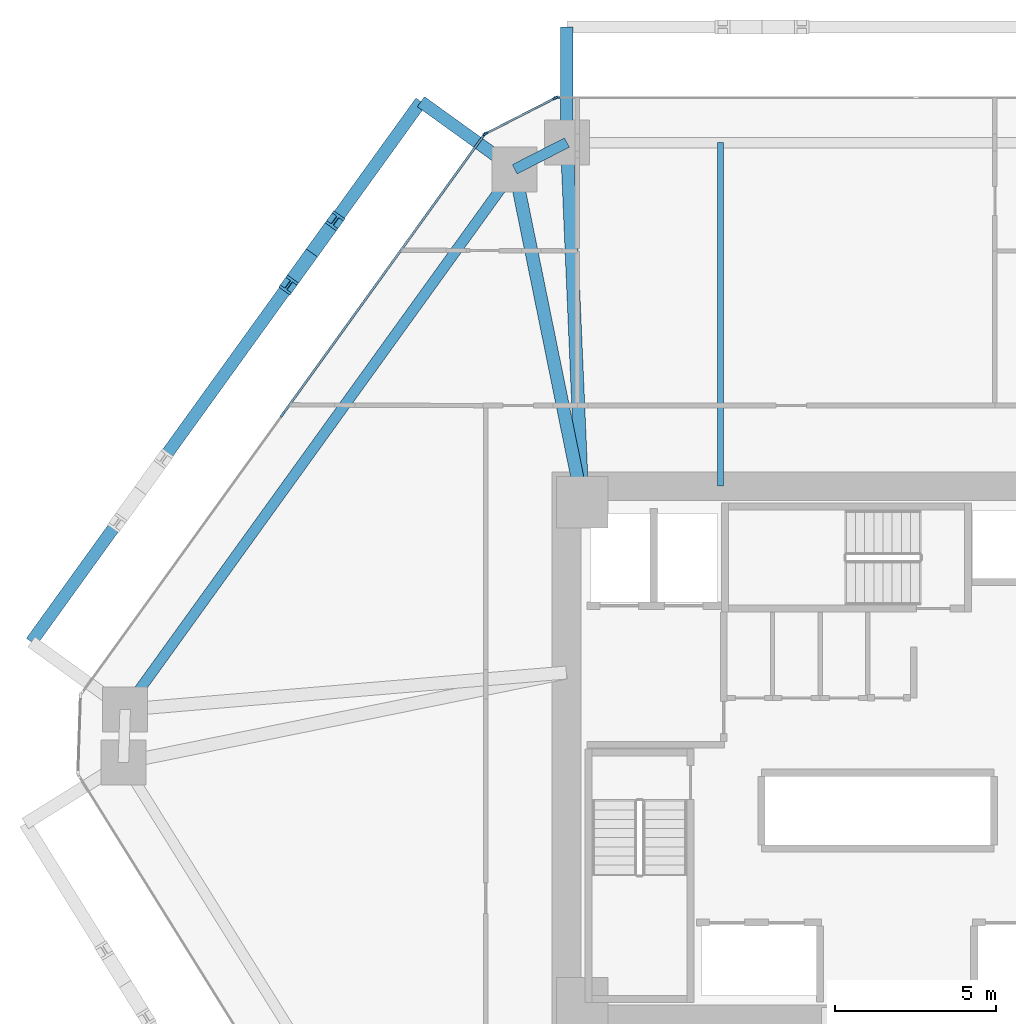
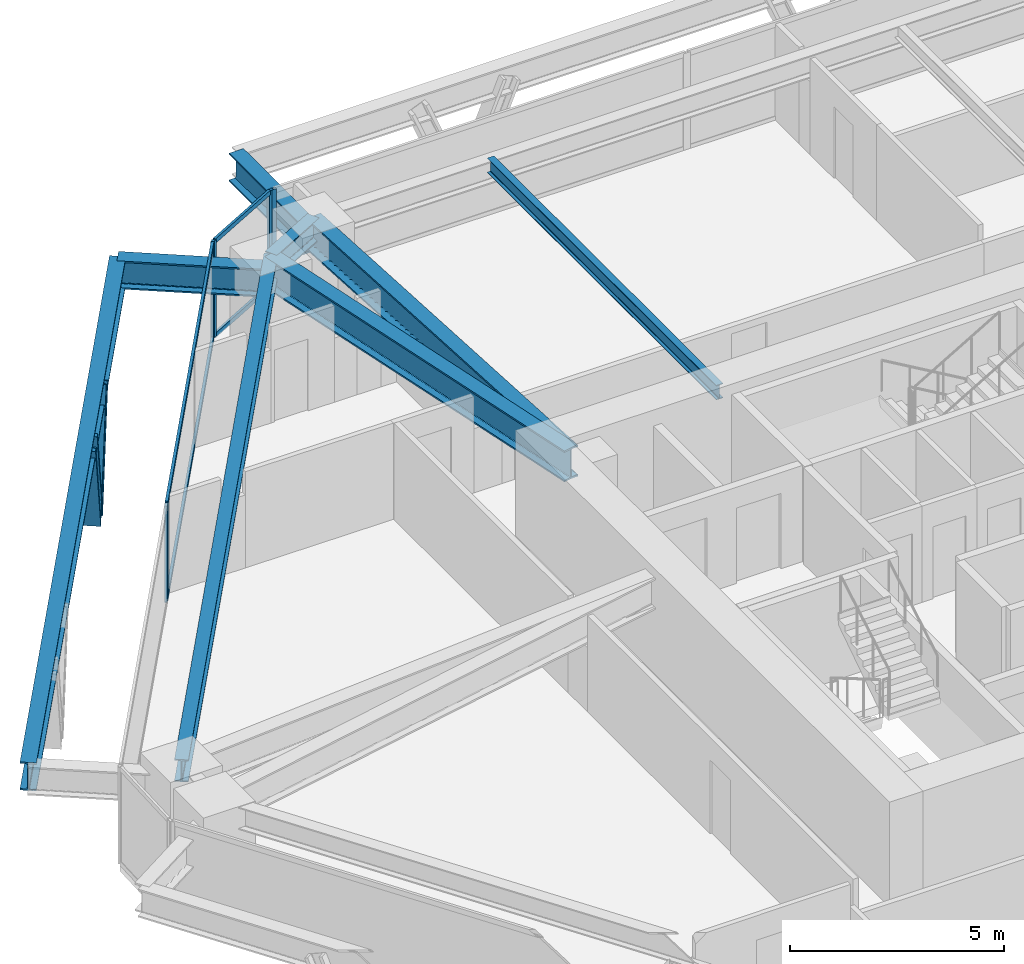
# One storey, part 7 of 15: 11 members, 8 beams, 3 elements without a shape of their own.
"""IFC4 building model written with IfcOpenShell, lengths in metres."""

from ifc_helpers import new_model, si_unit, direction, frame, origin, origin_2d, place, context, subcontext, project, spatial, rectangle, i_section, extrude, source, transform, mapped, material, layer, layer_set, material_profile, profile_set, type_object, type_shapes, element, aggregate, save


model = new_model("IFC4")

# Units and contexts
model_context = context("Model", 3, precision=1e-05, world=origin(), true_north=direction((0.0, 1.0)))
body_context = subcontext(model_context, "Body", "Model", "MODEL_VIEW")
ifc_project = project(units=[si_unit("LENGTHUNIT", "METRE"), si_unit("AREAUNIT", "SQUARE_METRE"), si_unit("VOLUMEUNIT", "CUBIC_METRE"), si_unit("PLANEANGLEUNIT", "RADIAN"), si_unit("MASSUNIT", "GRAM", prefix="KILO")], contexts=[model_context])

# Site, building, storey
site_placement = place(None, origin())
site = spatial("IfcSite", under=ifc_project, at=site_placement, CompositionType="ELEMENT")
building_placement = place(site_placement, origin())
building = spatial("IfcBuilding", under=site, at=building_placement, Name="Durnholm Broadcast Tower", CompositionType="ELEMENT")
storey_placement = place(building_placement, frame((0.0, 0.0, 81.300048828125)))
storey = spatial("IfcBuildingStorey", under=building, at=storey_placement, Name="L21", CompositionType="ELEMENT", Elevation=81.300048828125)

# Beams
ifc_material_1 = material(Name="Steel ASTM A992 Grade 50", Category="steel")
ifc_material_profile_1 = material_profile(ifc_material_1, i_section(OverallWidth=0.3291015625, OverallDepth=0.635009765625, WebThickness=0.017822265625, FlangeThickness=0.031005859375, FilletRadius=0.02783203125, at=origin_2d()), Name="W24X162")
ifc_profile_set_1 = profile_set([ifc_material_profile_1], Name="Steel ASTM A992 Grade 50")
beam_type_1 = type_object("IfcBeamType", Name="STL-SP-W24X162", PredefinedType="SPANDREL", material=ifc_profile_set_1)
shared_shape_1 = source(origin(), body_context, "Body", "SweptSolid", [
    extrude(i_section(OverallWidth=0.3291015625, OverallDepth=0.635009765625, WebThickness=0.017822265625, FlangeThickness=0.031005859375, FilletRadius=0.02783203125, at=origin_2d()), origin(), (0.0, 0.0, 1.0), 20.737060546875),
])
beam_1_placement = place(storey_placement, frame((-24.034912109375, 1.347412109375, 2.427490234375), z_axis=(0.584821933191, 0.811161701795, 0.0), x_axis=(-0.811161701795, 0.584821933191, 0.0)))
element("IfcBeam", 1, at=beam_1_placement, inside=storey, type_object=beam_type_1, Name="L21 perimeter spandrel girder 03", PredefinedType="SPANDREL", context=body_context, shape_type="MappedRepresentation", body=[
    mapped(shared_shape_1, transform((0.0, 0.0, 0.0), x_axis=(1.0, 0.0, 0.0), y_axis=(0.0, 1.0, 0.0), z_axis=(0.0, 0.0, 1.0), scale=1.0)),
])
shared_shape_2 = source(origin(), body_context, "Body", "SweptSolid", [
    extrude(i_section(OverallWidth=0.3291015625, OverallDepth=0.635009765625, WebThickness=0.017822265625, FlangeThickness=0.031005859375, FilletRadius=0.02783203125, at=origin_2d()), origin(), (0.0, 0.0, 1.0), 1.8251953125),
])
type_shapes(beam_type_1, [shared_shape_1, shared_shape_2])
beam_2_placement = place(storey_placement, frame((-11.907470703125, 18.16845703125, 2.427490234375), z_axis=(0.890187609501, 0.455594139438, 0.0), x_axis=(-0.455594139438, 0.890187609501, 0.0)))
element("IfcBeam", 2, at=beam_2_placement, inside=storey, type_object=beam_type_1, Name="L21 perimeter spandrel girder 04", PredefinedType="SPANDREL", context=body_context, shape_type="MappedRepresentation", body=[
    mapped(shared_shape_2, transform((0.0, 0.0, 0.0), x_axis=(1.0, 0.0, 0.0), y_axis=(0.0, 1.0, 0.0), z_axis=(0.0, 0.0, 1.0), scale=1.0)),
])
ifc_material_profile_2 = material_profile(ifc_material_1, i_section(OverallWidth=0.404052734375, OverallDepth=0.885009765625, WebThickness=0.0244140625, FlangeThickness=0.0439453125, FilletRadius=0.03564453125, at=origin_2d()), Name="W33X291")
ifc_profile_set_2 = profile_set([ifc_material_profile_2], Name="Steel ASTM A992 Grade 50")
beam_type_2 = type_object("IfcBeamType", Name="STL-GR-W33X291", PredefinedType="USERDEFINED", material=ifc_profile_set_2)
shared_shape_3 = source(origin(), body_context, "Body", "SweptSolid", [
    extrude(i_section(OverallWidth=0.404052734375, OverallDepth=0.885009765625, WebThickness=0.0244140625, FlangeThickness=0.0439453125, FilletRadius=0.03564453125, at=origin_2d()), origin(), (0.0, 0.0, 1.0), 10.580322265625),
])
beam_3_placement = place(storey_placement, frame((-9.800048828125, 7.800048828125, 2.302490234375), z_axis=(-0.199181458925, 0.979962625012, 0.0), x_axis=(-0.979962625012, -0.199181458925, 0.0)))
element("IfcBeam", 3, at=beam_3_placement, inside=storey, type_object=beam_type_2, Name="L21 radial primary floor girder 04", ObjectType="GIRDER", PredefinedType="USERDEFINED", context=body_context, shape_type="MappedRepresentation", body=[
    mapped(shared_shape_3, transform((0.0, 0.0, 0.0), x_axis=(1.0, 0.0, 0.0), y_axis=(0.0, 1.0, 0.0), z_axis=(0.0, 0.0, 1.0), scale=1.0)),
])
shared_shape_4 = source(origin(), body_context, "Body", "SweptSolid", [
    extrude(i_section(OverallWidth=0.404052734375, OverallDepth=0.885009765625, WebThickness=0.0244140625, FlangeThickness=0.0439453125, FilletRadius=0.03564453125, at=origin_2d()), origin(), (0.0, 0.0, 1.0), 11.21044921875),
])
type_shapes(beam_type_2, [shared_shape_3, shared_shape_4])
beam_4_placement = place(storey_placement, frame((-9.800048828125, 7.800048828125, 2.302490234375), z_axis=(-0.043055404914, 0.999072686098, 0.0), x_axis=(-0.999072686098, -0.043055404914, 0.0)))
element("IfcBeam", 4, at=beam_4_placement, inside=storey, type_object=beam_type_2, Name="L21 radial primary floor girder 05", ObjectType="GIRDER", PredefinedType="USERDEFINED", context=body_context, shape_type="MappedRepresentation", body=[
    mapped(shared_shape_4, transform((0.0, 0.0, 0.0), x_axis=(1.0, 0.0, 0.0), y_axis=(0.0, 1.0, 0.0), z_axis=(0.0, 0.0, 1.0), scale=1.0)),
])
ifc_material_profile_3 = material_profile(ifc_material_1, i_section(OverallWidth=0.180908203125, OverallDepth=0.417236328125, WebThickness=0.010986328125, FlangeThickness=0.018310546875, FilletRadius=0.01904296875, at=origin_2d()), Name="W16X57")
ifc_profile_set_3 = profile_set([ifc_material_profile_3], Name="Steel ASTM A992 Grade 50")
beam_type_3 = type_object("IfcBeamType", Name="STL-BJ-W16X57", PredefinedType="JOIST", material=ifc_profile_set_3)
shared_shape_5 = source(origin(), body_context, "Body", "SweptSolid", [
    extrude(i_section(OverallWidth=0.180908203125, OverallDepth=0.417236328125, WebThickness=0.010986328125, FlangeThickness=0.018310546875, FilletRadius=0.01904296875, at=origin_2d()), origin(), (0.0, 0.0, 1.0), 10.699951171875),
])
type_shapes(beam_type_3, [shared_shape_5])
beam_5_placement = place(storey_placement, frame((-5.5, 8.300048828125, 2.5361328125), z_axis=(0.0, 1.0, 0.0), x_axis=(-1.0, 0.0, 0.0)))
element("IfcBeam", 5, at=beam_5_placement, inside=storey, type_object=beam_type_3, Name="L21 secondary floor joist 3.2", PredefinedType="JOIST", context=body_context, shape_type="MappedRepresentation", body=[
    mapped(shared_shape_5, transform((0.0, 0.0, 0.0), x_axis=(1.0, 0.0, 0.0), y_axis=(0.0, 1.0, 0.0), z_axis=(0.0, 0.0, 1.0), scale=1.0)),
])
ifc_material_profile_4 = material_profile(ifc_material_1, i_section(OverallWidth=0.385009765625, OverallDepth=0.802978515625, WebThickness=0.023681640625, FlangeThickness=0.0419921875, FilletRadius=0.032958984375, at=origin_2d()), Name="W30X261")
ifc_profile_set_4 = profile_set([ifc_material_profile_4], Name="Steel ASTM A992 Grade 50")
beam_type_4 = type_object("IfcBeamType", Name="BM-EXO-TIE", PredefinedType="USERDEFINED", material=ifc_profile_set_4)
shared_shape_6 = source(origin(), body_context, "Body", "SweptSolid", [
    extrude(i_section(OverallWidth=0.385009765625, OverallDepth=0.802978515625, WebThickness=0.023681640625, FlangeThickness=0.0419921875, FilletRadius=0.032958984375, at=origin_2d()), origin(), (0.0, 0.0, 1.0), 3.4560546875),
])
for number, where, z_axis, x_axis, name in (
    (6, (-10.28271484375, 19.14404296875, 2.008544921875), (0.0, 1.0, 0.0), (-1.0, 0.0, 0.0), "L21 exoskeleton stand-off tie bracket F4.2"),
    (7, (-12.024169921875, 18.252685546875, 2.008544921875), (-0.811157675106, 0.584827518262, 0.0), (-0.584827518262, -0.811157675106, 0.0), "L21 exoskeleton stand-off tie bracket F5.1"),
):
    element("IfcBeam", number, at=place(storey_placement, frame(where, z_axis=z_axis, x_axis=x_axis)), inside=storey, type_object=beam_type_4, Name=name, ObjectType="GIRDER", PredefinedType="USERDEFINED", context=body_context, shape_type="MappedRepresentation", body=[
        mapped(shared_shape_6, transform((0.0, 0.0, 0.0), x_axis=(1.0, 0.0, 0.0), y_axis=(0.0, 1.0, 0.0), z_axis=(0.0, 0.0, 1.0), scale=1.0)),
    ])
shared_shape_7 = source(origin(), body_context, "Body", "SweptSolid", [
    extrude(i_section(OverallWidth=0.385009765625, OverallDepth=0.802978515625, WebThickness=0.023681640625, FlangeThickness=0.0419921875, FilletRadius=0.032958984375, at=origin_2d()), origin(), (0.0, 0.0, 1.0), 20.737060546875),
])
type_shapes(beam_type_4, [shared_shape_6, shared_shape_7])
beam_6_placement = place(storey_placement, frame((-14.82763671875, 20.27392578125, 2.008544921875), z_axis=(-0.5848163482, -0.811165728368, 0.0), x_axis=(0.811165728368, -0.5848163482, 0.0)))
element("IfcBeam", 8, at=beam_6_placement, inside=storey, type_object=beam_type_4, Name="L21 exoskeleton collector spandrel F5", PredefinedType="SPANDREL", context=body_context, shape_type="MappedRepresentation", body=[
    mapped(shared_shape_7, transform((0.0, 0.0, 0.0), x_axis=(1.0, 0.0, 0.0), y_axis=(0.0, 1.0, 0.0), z_axis=(0.0, 0.0, 1.0), scale=1.0)),
])

# Members
ifc_material_2 = material(Name="Steel ASTM A913 Grade 65", Category="steel")
ifc_material_profile_5 = material_profile(ifc_material_2, i_section(OverallWidth=0.43212890625, OverallDepth=0.497802734375, WebThickness=0.0556640625, FlangeThickness=0.0888671875, FilletRadius=0.030517578125, at=origin_2d()), Name="W14X500")
ifc_profile_set_5 = profile_set([ifc_material_profile_5], Name="Steel ASTM A913 Grade 65")
member_type_1 = type_object("IfcMemberType", Name="STL-DG-W14X500", PredefinedType="BRACE", material=ifc_profile_set_5)
shared_shape_8 = source(origin(), body_context, "Body", "SweptSolid", [
    extrude(i_section(OverallWidth=0.43212890625, OverallDepth=0.497802734375, WebThickness=0.0556640625, FlangeThickness=0.0888671875, FilletRadius=0.030517578125, at=origin_2d()), origin(), (0.0, 0.0, 1.0), 3.243896484375),
])
member_1_placement = place(storey_placement, frame((-18.223388671875, 15.56396484375, -0.991455078125), z_axis=(0.222479198439, 0.308505492017, 0.924839103659), x_axis=(-0.81109123444, 0.58491966065, 0.0)))
element("IfcMember", 9, at=member_1_placement, inside=storey, type_object=member_type_1, Name="L21 stand-off diagrid brace F5.D1.1", PredefinedType="BRACE", context=body_context, shape_type="MappedRepresentation", body=[
    mapped(shared_shape_8, transform((0.0, 0.0, 0.0), x_axis=(1.0, 0.0, 0.0), y_axis=(0.0, 1.0, 0.0), z_axis=(0.0, 0.0, 1.0), scale=1.0)),
])
shared_shape_9 = source(origin(), body_context, "Body", "SweptSolid", [
    extrude(i_section(OverallWidth=0.43212890625, OverallDepth=0.497802734375, WebThickness=0.0556640625, FlangeThickness=0.0888671875, FilletRadius=0.030517578125, at=origin_2d()), origin(), (0.0, 0.0, 1.0), 3.24365234375),
])
type_shapes(member_type_1, [shared_shape_8, shared_shape_9])
member_2_placement = place(storey_placement, frame((-18.223388671875, 15.56396484375, -0.991455078125), z_axis=(-0.222407658365, -0.308510657069, 0.924854587476), x_axis=(0.811185111535, -0.584789461963, 0.0)))
element("IfcMember", 10, at=member_2_placement, inside=storey, type_object=member_type_1, Name="L21 stand-off diagrid brace F5.D1.2", PredefinedType="BRACE", context=body_context, shape_type="MappedRepresentation", body=[
    mapped(shared_shape_9, transform((0.0, 0.0, 0.0), x_axis=(1.0, 0.0, 0.0), y_axis=(0.0, 1.0, 0.0), z_axis=(0.0, 0.0, 1.0), scale=1.0)),
])

# Curtain wall, members
ifc_material_3 = material(Name="Aluminium and Solar Control IGU", Category="aluminium")
ifc_layer_1 = layer(ifc_material_3, 0.1650390625)
ifc_layer_set_1 = layer_set([ifc_layer_1], Name="Aluminium and Solar Control IGU")
curtain_wall_type_1 = type_object("IfcCurtainWallType", Name="CW-SYS-5", PredefinedType="NOTDEFINED", material=ifc_layer_set_1)
curtain_wall_1_placement = place(storey_placement, origin())
curtain_wall_1 = element("IfcCurtainWall", 11, at=curtain_wall_1_placement, inside=storey, type_object=curtain_wall_type_1, Name="L21 curtain wall CW-CORNER CW-L21-CRN-03", PredefinedType="NOTDEFINED")
ifc_material_4 = material(Name="Aluminium 6063-T6", Category="aluminium")
ifc_material_profile_6 = material_profile(ifc_material_4, rectangle(XDim=0.06494140625, YDim=0.1298828125, at=origin_2d()), Name="CWT65X130")
ifc_profile_set_6 = profile_set([ifc_material_profile_6], Name="Aluminium 6063-T6")
member_type_2 = type_object("IfcMemberType", Name="CW-SYS-5-TRN", PredefinedType="USERDEFINED", material=ifc_profile_set_6)
shared_shape_10 = source(origin(), body_context, "Body", "SweptSolid", [
    extrude(rectangle(XDim=0.06494140625, YDim=0.1298828125, at=origin_2d()), origin(), (0.0, 0.0, 1.0), 2.3701171875),
])
type_shapes(member_type_2, [shared_shape_10])
member_3_placement = place(storey_placement, frame((-12.787841796875, 19.29052734375, 0.032470703125), z_axis=(0.890185016934, 0.455599205033, 0.0), x_axis=(-0.455599205033, 0.890185016934, 0.0)))
member_3 = element("IfcMember", 12, at=member_3_placement, type_object=member_type_2, Name="CW-CORNER transom 1.1", ObjectType="TRANSOM", PredefinedType="USERDEFINED", context=body_context, shape_type="MappedRepresentation", body=[
    mapped(shared_shape_10, transform((0.0, 0.0, 0.0), x_axis=(1.0, 0.0, 0.0), y_axis=(0.0, 1.0, 0.0), z_axis=(0.0, 0.0, 1.0), scale=1.0)),
])
member_4_placement = place(storey_placement, frame((-12.787841796875, 19.29052734375, 2.7275390625), z_axis=(0.890185016934, 0.455599205033, 0.0), x_axis=(-0.455599205033, 0.890185016934, 0.0)))
member_4 = element("IfcMember", 13, at=member_4_placement, type_object=member_type_2, Name="CW-CORNER transom 1.2", ObjectType="TRANSOM", PredefinedType="USERDEFINED", context=body_context, shape_type="MappedRepresentation", body=[
    mapped(shared_shape_10, transform((0.0, 0.0, 0.0), x_axis=(1.0, 0.0, 0.0), y_axis=(0.0, 1.0, 0.0), z_axis=(0.0, 0.0, 1.0), scale=1.0)),
])

ifc_layer_2 = layer(ifc_material_3, 0.18994140625)
ifc_layer_set_2 = layer_set([ifc_layer_2], Name="Aluminium and Solar Control IGU")
curtain_wall_type_2 = type_object("IfcCurtainWallType", Name="CW-SYS-3", PredefinedType="NOTDEFINED", material=ifc_layer_set_2)
curtain_wall_2_placement = place(storey_placement, origin())
curtain_wall_2 = element("IfcCurtainWall", 14, at=curtain_wall_2_placement, inside=storey, type_object=curtain_wall_type_2, Name="L21 curtain wall CW-Z12-VIS CW-L21-F02", PredefinedType="NOTDEFINED")
ifc_material_profile_7 = material_profile(ifc_material_4, rectangle(XDim=0.070068359375, YDim=0.14990234375, at=origin_2d()), Name="CWT70X150")
ifc_profile_set_7 = profile_set([ifc_material_profile_7], Name="Aluminium 6063-T6")
member_type_3 = type_object("IfcMemberType", Name="CW-SYS-3-TRN", PredefinedType="USERDEFINED", material=ifc_profile_set_7)
shared_shape_11 = source(origin(), body_context, "Body", "SweptSolid", [
    extrude(rectangle(XDim=0.070068359375, YDim=0.14990234375, at=origin_2d()), origin(), (0.0, 0.0, 1.0), 10.645263671875),
])
type_shapes(member_type_3, [shared_shape_11])
member_5_placement = place(storey_placement, frame((-19.1123046875, 10.569091796875, 0.034912109375), z_axis=(0.584822983179, 0.811160944786, 0.0), x_axis=(-0.811160944786, 0.584822983179, 0.0)))
member_5 = element("IfcMember", 15, at=member_5_placement, type_object=member_type_3, Name="CW-Z12-VIS transom 2.1", ObjectType="TRANSOM", PredefinedType="USERDEFINED", context=body_context, shape_type="MappedRepresentation", body=[
    mapped(shared_shape_11, transform((0.0, 0.0, 0.0), x_axis=(1.0, 0.0, 0.0), y_axis=(0.0, 1.0, 0.0), z_axis=(0.0, 0.0, 1.0), scale=1.0)),
])
member_6_placement = place(storey_placement, frame((-19.1123046875, 10.569091796875, 2.724853515625), z_axis=(0.584822983179, 0.811160944786, 0.0), x_axis=(-0.811160944786, 0.584822983179, 0.0)))
member_6 = element("IfcMember", 16, at=member_6_placement, type_object=member_type_3, Name="CW-Z12-VIS transom 2.2", ObjectType="TRANSOM", PredefinedType="USERDEFINED", context=body_context, shape_type="MappedRepresentation", body=[
    mapped(shared_shape_11, transform((0.0, 0.0, 0.0), x_axis=(1.0, 0.0, 0.0), y_axis=(0.0, 1.0, 0.0), z_axis=(0.0, 0.0, 1.0), scale=1.0)),
])

# Member
ifc_material_profile_8 = material_profile(ifc_material_4, rectangle(XDim=0.06494140625, YDim=0.1650390625, at=origin_2d()), Name="CWM65X165")
ifc_profile_set_8 = profile_set([ifc_material_profile_8], Name="Aluminium 6063-T6")
member_type_4 = type_object("IfcMemberType", Name="CW-SYS-5-MUL", PredefinedType="MULLION", material=ifc_profile_set_8)
shared_shape_12 = source(origin(), body_context, "Body", "SweptSolid", [
    extrude(rectangle(XDim=0.06494140625, YDim=0.1650390625, at=origin_2d()), origin(), (0.0, 0.0, 1.0), 2.760009765625),
])
type_shapes(member_type_4, [shared_shape_12])
member_7_placement = place(storey_placement, frame((-12.816650390625, 19.27587890625, 0.0), z_axis=(0.0, 0.0, 1.0), x_axis=(-0.455593758406, 0.890187804512, 0.0)))
member_7 = element("IfcMember", 17, at=member_7_placement, type_object=member_type_4, Name="CW-CORNER mullion 1", PredefinedType="MULLION", context=body_context, shape_type="MappedRepresentation", body=[
    mapped(shared_shape_12, transform((0.0, 0.0, 0.0), x_axis=(1.0, 0.0, 0.0), y_axis=(0.0, 1.0, 0.0), z_axis=(0.0, 0.0, 1.0), scale=1.0)),
])

member_8_placement = place(storey_placement, frame((-10.649169921875, 20.38525390625, 0.0), z_axis=(0.0, 0.0, 1.0), x_axis=(-0.455593758406, 0.890187804512, 0.0)))
member_8 = element("IfcMember", 18, at=member_8_placement, type_object=member_type_4, Name="CW-CORNER mullion 2", PredefinedType="MULLION", context=body_context, shape_type="MappedRepresentation", body=[
    mapped(shared_shape_12, transform((0.0, 0.0, 0.0), x_axis=(1.0, 0.0, 0.0), y_axis=(0.0, 1.0, 0.0), z_axis=(0.0, 0.0, 1.0), scale=1.0)),
])

aggregate(curtain_wall_1, [member_7, member_8, member_3, member_4])

ifc_material_profile_9 = material_profile(ifc_material_4, rectangle(XDim=0.070068359375, YDim=0.18994140625, at=origin_2d()), Name="CWM70X190")
ifc_profile_set_9 = profile_set([ifc_material_profile_9], Name="Aluminium 6063-T6")
member_type_5 = type_object("IfcMemberType", Name="CW-SYS-3-MUL", PredefinedType="MULLION", material=ifc_profile_set_9)
shared_shape_13 = source(origin(), body_context, "Body", "SweptSolid", [
    extrude(rectangle(XDim=0.070068359375, YDim=0.18994140625, at=origin_2d()), origin(), (0.0, 0.0, 1.0), 2.760009765625),
])
type_shapes(member_type_5, [shared_shape_13])
member_9_placement = place(storey_placement, frame((-19.1328125, 10.540771484375, 0.0), z_axis=(0.0, 0.0, 1.0), x_axis=(-0.81116057493, 0.584823496176, 0.0)))
member_9 = element("IfcMember", 19, at=member_9_placement, type_object=member_type_5, Name="CW-Z12-VIS mullion 2", PredefinedType="MULLION", context=body_context, shape_type="MappedRepresentation", body=[
    mapped(shared_shape_13, transform((0.0, 0.0, 0.0), x_axis=(1.0, 0.0, 0.0), y_axis=(0.0, 1.0, 0.0), z_axis=(0.0, 0.0, 1.0), scale=1.0)),
])

member_10_placement = place(storey_placement, frame((-12.8662109375, 19.232666015625, 0.0), z_axis=(0.0, 0.0, 1.0), x_axis=(-0.81116057493, 0.584823496176, 0.0)))
member_10 = element("IfcMember", 20, at=member_10_placement, type_object=member_type_5, Name="CW-Z12-VIS mullion 3", PredefinedType="MULLION", context=body_context, shape_type="MappedRepresentation", body=[
    mapped(shared_shape_13, transform((0.0, 0.0, 0.0), x_axis=(1.0, 0.0, 0.0), y_axis=(0.0, 1.0, 0.0), z_axis=(0.0, 0.0, 1.0), scale=1.0)),
])

aggregate(curtain_wall_2, [member_9, member_10, member_5, member_6])

# Curtain wall, member
curtain_wall_3_placement = place(storey_placement, origin())
curtain_wall_3 = element("IfcCurtainWall", 21, at=curtain_wall_3_placement, inside=storey, type_object=curtain_wall_type_2, Name="L21 curtain wall CW-Z12-VIS CW-L21-F04", PredefinedType="NOTDEFINED")
member_11_placement = place(storey_placement, frame((-10.585205078125, 20.39990234375, 0.0), z_axis=(0.0, 0.0, 1.0), x_axis=(0.0, 1.0, 0.0)))
member_11 = element("IfcMember", 22, at=member_11_placement, type_object=member_type_5, Name="CW-Z12-VIS mullion 1", PredefinedType="MULLION", context=body_context, shape_type="MappedRepresentation", body=[
    mapped(shared_shape_13, transform((0.0, 0.0, 0.0), x_axis=(1.0, 0.0, 0.0), y_axis=(0.0, 1.0, 0.0), z_axis=(0.0, 0.0, 1.0), scale=1.0)),
])
aggregate(curtain_wall_3, [member_11])

save(model, "model.ifc")
